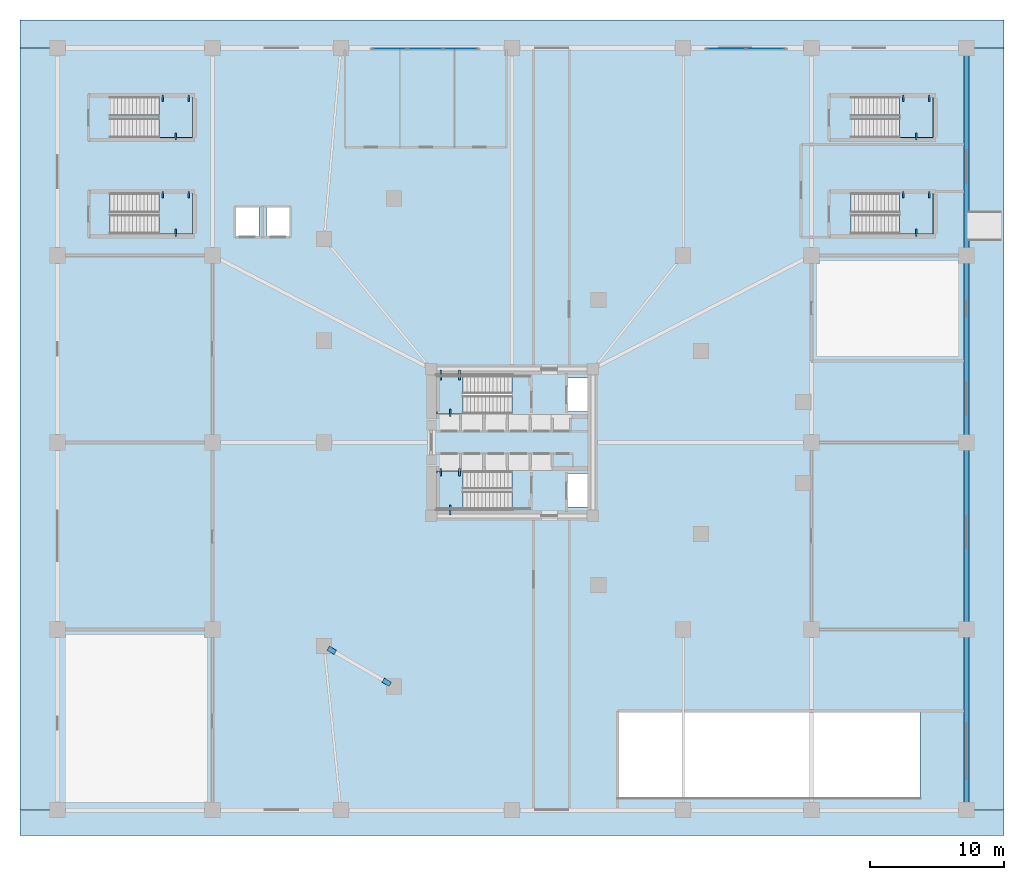
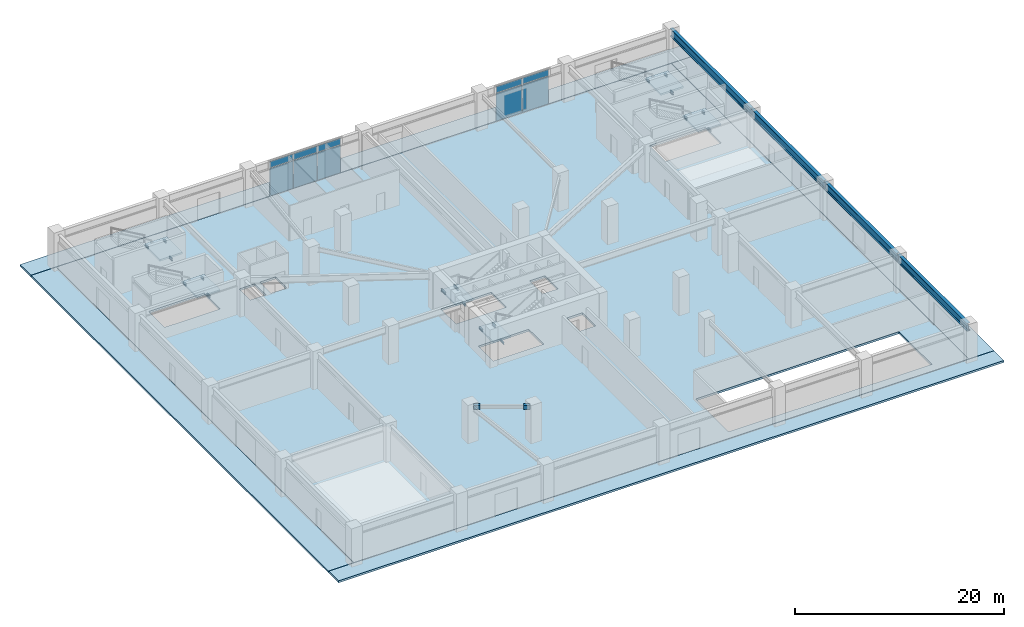
# One storey, part 3 of 18: 22 beams, 12 plates, 11 slabs, 8 elements without a shape of their own.
"""IFC4 building model written with IfcOpenShell, lengths in metres."""

from ifc_helpers import new_model, si_unit, direction, frame, origin, origin_2d, place, context, subcontext, project, spatial, polyline, rectangle, i_section, outline, extrude, source, transform, mapped, material, layer, layer_set, material_profile, profile_set, type_object, element, aggregate, save


model = new_model("IFC4")

# Units and contexts
model_context = context("Model", 3, precision=1e-05, world=origin(), true_north=direction((0.0, 1.0)))
body_context = subcontext(model_context, "Body", "Model", "MODEL_VIEW")
ifc_project = project(units=[si_unit("LENGTHUNIT", "METRE"), si_unit("AREAUNIT", "SQUARE_METRE"), si_unit("VOLUMEUNIT", "CUBIC_METRE"), si_unit("PLANEANGLEUNIT", "RADIAN"), si_unit("MASSUNIT", "GRAM", prefix="KILO")], contexts=[model_context])

# Site, building, storey
site_placement = place(None, origin())
site = spatial("IfcSite", under=ifc_project, at=site_placement, CompositionType="ELEMENT")
building_placement = place(site_placement, origin())
building = spatial("IfcBuilding", under=site, at=building_placement, Name="Yunling Apex Tower", CompositionType="ELEMENT")
storey_placement = place(building_placement, origin())
storey = spatial("IfcBuildingStorey", under=building, at=storey_placement, Name="L01", CompositionType="ELEMENT", Elevation=0.0)

# Beams
ifc_material_1 = material(Name="Steel Q355B", Category="steel")
ifc_material_profile_1 = material_profile(ifc_material_1, i_section(OverallWidth=0.125, OverallDepth=0.25, WebThickness=0.006103515625, FlangeThickness=0.009033203125, FilletRadius=0.011962890625, at=origin_2d()))
ifc_profile_set_1 = profile_set([ifc_material_profile_1], Name="Steel Q355B")
beam_type_1 = type_object("IfcBeamType", Name="BL-LNT-1", PredefinedType="LINTEL", material=ifc_profile_set_1)
shared_shape_1 = source(origin(), body_context, "Body", "SweptSolid", [
    extrude(i_section(OverallWidth=0.125, OverallDepth=0.25, WebThickness=0.006103515625, FlangeThickness=0.009033203125, FilletRadius=0.011962890625, at=origin_2d()), origin(), (0.0, 0.0, 1.0), 0.760009765625),
])
for number, where, z_axis, x_axis, name in (
    (1, (-5.320068359375, 5.419921875, 1.929931640625), (0.0, -1.0, 0.0), (1.0, 0.0, 0.0), "L01 ST-1 Landing Bearing Corbel 1-1"),
    (2, (-3.929931640625, 5.419921875, 1.929931640625), (0.0, -1.0, 0.0), (1.0, 0.0, 0.0), "L01 ST-1 Landing Bearing Corbel 1-2"),
    (3, (-4.625, -5.419921875, 1.929931640625), (0.0, 1.0, 0.0), (-1.0, 0.0, 0.0), "L01 ST-2 Landing Bearing Corbel 1-3"),
):
    element("IfcBeam", number, at=place(storey_placement, frame(where, z_axis=z_axis, x_axis=x_axis)), inside=storey, type_object=beam_type_1, Name=name, PredefinedType="LINTEL", context=body_context, shape_type="MappedRepresentation", body=[
        mapped(shared_shape_1, transform((0.0, 0.0, 0.0), scale=1.0)),
    ])
shared_shape_2 = source(origin(), body_context, "Body", "SweptSolid", [
    extrude(i_section(OverallWidth=0.125, OverallDepth=0.25, WebThickness=0.006103515625, FlangeThickness=0.009033203125, FilletRadius=0.011962890625, at=origin_2d()), origin(), (0.0, 0.0, 1.0), 0.550048828125),
])
for number, where, z_axis, x_axis, name in (
    (4, (-4.625, 1.93994140625, 1.929931640625), (0.0, 1.0, 0.0), (-1.0, 0.0, 0.0), "L01 ST-1 Landing Bearing Corbel 1-3"),
    (5, (-5.320068359375, -1.93994140625, 1.929931640625), (0.0, -1.0, 0.0), (1.0, 0.0, 0.0), "L01 ST-2 Landing Bearing Corbel 1-1"),
    (6, (-3.929931640625, -1.93994140625, 1.929931640625), (0.0, -1.0, 0.0), (1.0, 0.0, 0.0), "L01 ST-2 Landing Bearing Corbel 1-2"),
):
    element("IfcBeam", number, at=place(storey_placement, frame(where, z_axis=z_axis, x_axis=x_axis)), inside=storey, type_object=beam_type_1, Name=name, PredefinedType="LINTEL", context=body_context, shape_type="MappedRepresentation", body=[
        mapped(shared_shape_2, transform((0.0, 0.0, 0.0), scale=1.0)),
    ])
shared_shape_3 = source(origin(), body_context, "Body", "SweptSolid", [
    extrude(i_section(OverallWidth=0.125, OverallDepth=0.25, WebThickness=0.006103515625, FlangeThickness=0.009033203125, FilletRadius=0.011962890625, at=origin_2d()), origin(), (0.0, 0.0, 1.0), 0.47998046875),
])
for number, where, z_axis, x_axis, name in (
    (7, (-26.1298828125, 18.780029296875, 1.929931640625), (0.0, -1.0, 0.0), (1.0, 0.0, 0.0), "L01 ST-P1 Landing Bearing Corbel 1-1"),
    (8, (-24.179931640625, 18.780029296875, 1.929931640625), (0.0, -1.0, 0.0), (1.0, 0.0, 0.0), "L01 ST-P1 Landing Bearing Corbel 1-2"),
    (9, (29.27001953125, 18.780029296875, 1.929931640625), (0.0, -1.0, 0.0), (1.0, 0.0, 0.0), "L01 ST-P2 Landing Bearing Corbel 1-1"),
    (10, (31.219970703125, 18.780029296875, 1.929931640625), (0.0, -1.0, 0.0), (1.0, 0.0, 0.0), "L01 ST-P2 Landing Bearing Corbel 1-2"),
    (11, (-26.1298828125, 25.97998046875, 1.929931640625), (0.0, -1.0, 0.0), (1.0, 0.0, 0.0), "L01 ST-G1 Landing Bearing Corbel 1-1"),
    (12, (-24.179931640625, 25.97998046875, 1.929931640625), (0.0, -1.0, 0.0), (1.0, 0.0, 0.0), "L01 ST-G1 Landing Bearing Corbel 1-2"),
    (13, (29.27001953125, 25.97998046875, 1.929931640625), (0.0, -1.0, 0.0), (1.0, 0.0, 0.0), "L01 ST-G2 Landing Bearing Corbel 1-1"),
    (14, (31.219970703125, 25.97998046875, 1.929931640625), (0.0, -1.0, 0.0), (1.0, 0.0, 0.0), "L01 ST-G2 Landing Bearing Corbel 1-2"),
):
    element("IfcBeam", number, at=place(storey_placement, frame(where, z_axis=z_axis, x_axis=x_axis)), inside=storey, type_object=beam_type_1, Name=name, PredefinedType="LINTEL", context=body_context, shape_type="MappedRepresentation", body=[
        mapped(shared_shape_3, transform((0.0, 0.0, 0.0), scale=1.0)),
    ])
shared_shape_4 = source(origin(), body_context, "Body", "SweptSolid", [
    extrude(i_section(OverallWidth=0.125, OverallDepth=0.25, WebThickness=0.006103515625, FlangeThickness=0.009033203125, FilletRadius=0.011962890625, at=origin_2d()), origin(), (0.0, 0.0, 1.0), 0.530029296875),
])
for number, where, z_axis, x_axis, name in (
    (15, (-25.155029296875, 15.419921875, 1.929931640625), (0.0, 1.0, 0.0), (-1.0, 0.0, 0.0), "L01 ST-P1 Landing Bearing Corbel 1-3"),
    (16, (30.2451171875, 15.419921875, 1.929931640625), (0.0, 1.0, 0.0), (-1.0, 0.0, 0.0), "L01 ST-P2 Landing Bearing Corbel 1-3"),
):
    element("IfcBeam", number, at=place(storey_placement, frame(where, z_axis=z_axis, x_axis=x_axis)), inside=storey, type_object=beam_type_1, Name=name, PredefinedType="LINTEL", context=body_context, shape_type="MappedRepresentation", body=[
        mapped(shared_shape_4, transform((0.0, 0.0, 0.0), scale=1.0)),
    ])
shared_shape_5 = source(origin(), body_context, "Body", "SweptSolid", [
    extrude(i_section(OverallWidth=0.125, OverallDepth=0.25, WebThickness=0.006103515625, FlangeThickness=0.009033203125, FilletRadius=0.011962890625, at=origin_2d()), origin(), (0.0, 0.0, 1.0), 0.52978515625),
])
for number, where, z_axis, x_axis, name in (
    (17, (-25.155029296875, 22.6201171875, 1.929931640625), (0.0, 1.0, 0.0), (-1.0, 0.0, 0.0), "L01 ST-G1 Landing Bearing Corbel 1-3"),
    (18, (30.2451171875, 22.6201171875, 1.929931640625), (0.0, 1.0, 0.0), (-1.0, 0.0, 0.0), "L01 ST-G2 Landing Bearing Corbel 1-3"),
):
    element("IfcBeam", number, at=place(storey_placement, frame(where, z_axis=z_axis, x_axis=x_axis)), inside=storey, type_object=beam_type_1, Name=name, PredefinedType="LINTEL", context=body_context, shape_type="MappedRepresentation", body=[
        mapped(shared_shape_5, transform((0.0, 0.0, 0.0), scale=1.0)),
    ])
ifc_material_profile_2 = material_profile(ifc_material_1, i_section(OverallWidth=0.35009765625, OverallDepth=0.89990234375, WebThickness=0.01806640625, FlangeThickness=0.028076171875, FilletRadius=0.02392578125, at=origin_2d()))
ifc_profile_set_2 = profile_set([ifc_material_profile_2], Name="Steel Q355B")
beam_type_2 = type_object("IfcBeamType", Name="BG-PRI-1", PredefinedType="USERDEFINED", material=ifc_profile_set_2)
shared_shape_6 = source(origin(), body_context, "Body", "SweptSolid", [
    extrude(i_section(OverallWidth=0.35009765625, OverallDepth=0.89990234375, WebThickness=0.01806640625, FlangeThickness=0.028076171875, FilletRadius=0.02392578125, at=origin_2d()), origin(), (0.0, 0.0, 1.0), 13.419921875),
])
beam_1_placement = place(storey_placement, frame((34.0, -27.4599609375, 3.739990234375), z_axis=(0.0, 1.0, 0.0), x_axis=(-1.0, 0.0, 0.0)))
element("IfcBeam", 19, at=beam_1_placement, inside=storey, type_object=beam_type_2, Name="L01 Podium Side Girder 17", ObjectType="GIRDER", PredefinedType="USERDEFINED", context=body_context, shape_type="MappedRepresentation", body=[
    mapped(shared_shape_6, transform((0.0, 0.0, 0.0), scale=1.0)),
])
shared_shape_7 = source(origin(), body_context, "Body", "SweptSolid", [
    extrude(i_section(OverallWidth=0.35009765625, OverallDepth=0.89990234375, WebThickness=0.01806640625, FlangeThickness=0.028076171875, FilletRadius=0.02392578125, at=origin_2d()), origin(), (0.0, 0.0, 1.0), 13.919921875),
])
for number, where, z_axis, x_axis, name in (
    (20, (34.0, -13.9599609375, 3.739990234375), (0.0, 1.0, 0.0), (-1.0, 0.0, 0.0), "L01 Podium Side Girder 18"),
    (21, (34.0, 0.0400390625, 3.739990234375), (0.0, 1.0, 0.0), (-1.0, 0.0, 0.0), "L01 Podium Side Girder 19"),
):
    element("IfcBeam", number, at=place(storey_placement, frame(where, z_axis=z_axis, x_axis=x_axis)), inside=storey, type_object=beam_type_2, Name=name, ObjectType="GIRDER", PredefinedType="USERDEFINED", context=body_context, shape_type="MappedRepresentation", body=[
        mapped(shared_shape_7, transform((0.0, 0.0, 0.0), scale=1.0)),
    ])
shared_shape_8 = source(origin(), body_context, "Body", "SweptSolid", [
    extrude(i_section(OverallWidth=0.35009765625, OverallDepth=0.89990234375, WebThickness=0.01806640625, FlangeThickness=0.028076171875, FilletRadius=0.02392578125, at=origin_2d()), origin(), (0.0, 0.0, 1.0), 15.419921875),
])
beam_2_placement = place(storey_placement, frame((34.0, 14.0400390625, 3.739990234375), z_axis=(0.0, 1.0, 0.0), x_axis=(-1.0, 0.0, 0.0)))
element("IfcBeam", 22, at=beam_2_placement, inside=storey, type_object=beam_type_2, Name="L01 Podium Side Girder 20", ObjectType="GIRDER", PredefinedType="USERDEFINED", context=body_context, shape_type="MappedRepresentation", body=[
    mapped(shared_shape_8, transform((0.0, 0.0, 0.0), scale=1.0)),
])

# Stair, slab
ifc_material_2 = material(Name="Concrete C40", Category="concrete")
stair_type_1 = type_object("IfcStairType", Name="ST-TWR-1", PredefinedType="HALF_TURN_STAIR", material=ifc_material_2)
stair_1_placement = place(storey_placement, origin())
stair_1 = element("IfcStair", 23, at=stair_1_placement, inside=storey, type_object=stair_type_1, Name="L01 North Core Smokeproof Exit Stair ST-1", PredefinedType="HALF_TURN_STAIR")
ifc_layer_1 = layer(ifc_material_2, 0.195068359375)
ifc_layer_set_1 = layer_set([ifc_layer_1], Name="Concrete C40")
slab_type_1 = type_object("IfcSlabType", Name="SL-LND-1", PredefinedType="LANDING", material=ifc_layer_set_1)
slab_1_placement = place(storey_placement, frame((0.0, 0.0, 2.054931640625)))
slab_1 = element("IfcSlab", 24, at=slab_1_placement, type_object=slab_type_1, Name="ST-1 landing 1", PredefinedType="LANDING", context=body_context, shape_type="SweptSolid", body=[
    extrude(outline(polyline([(-3.64990234375, 5.010009765625), (-5.60009765625, 5.010009765625), (-5.60009765625, 2.139892578125), (-3.64990234375, 2.139892578125), (-3.64990234375, 5.010009765625)])), origin(), (0.0, 0.0, 1.0), 0.195068359375),
])
aggregate(stair_1, [slab_1])

stair_2_placement = place(storey_placement, origin())
stair_2 = element("IfcStair", 25, at=stair_2_placement, inside=storey, type_object=stair_type_1, Name="L01 South Core Smokeproof Exit Stair ST-2", PredefinedType="HALF_TURN_STAIR")
slab_2_placement = place(storey_placement, frame((0.0, 0.0, 2.054931640625)))
slab_2 = element("IfcSlab", 26, at=slab_2_placement, type_object=slab_type_1, Name="ST-2 landing 1", PredefinedType="LANDING", context=body_context, shape_type="SweptSolid", body=[
    extrude(outline(polyline([(-3.64990234375, -2.139892578125), (-5.60009765625, -2.139892578125), (-5.60009765625, -5.010009765625), (-3.64990234375, -5.010009765625), (-3.64990234375, -2.139892578125)])), origin(), (0.0, 0.0, 1.0), 0.195068359375),
])
aggregate(stair_2, [slab_2])

stair_type_2 = type_object("IfcStairType", Name="ST-POD-1", PredefinedType="HALF_TURN_STAIR", material=ifc_material_2)
stair_3_placement = place(storey_placement, origin())
stair_3 = element("IfcStair", 27, at=stair_3_placement, inside=storey, type_object=stair_type_2, Name="L01 West Podium Smokeproof Stair ST-P1", PredefinedType="HALF_TURN_STAIR")
slab_3_placement = place(storey_placement, frame((0.0, 0.0, 2.054931640625)))
slab_3 = element("IfcSlab", 28, at=slab_3_placement, type_object=slab_type_1, Name="ST-P1 landing 1", PredefinedType="LANDING", context=body_context, shape_type="SweptSolid", body=[
    extrude(outline(polyline([(-26.409912109375, 15.60009765625), (-23.89990234375, 15.60009765625), (-23.89990234375, 18.64990234375), (-26.409912109375, 18.64990234375), (-26.409912109375, 15.60009765625)])), origin(), (0.0, 0.0, 1.0), 0.195068359375),
])
aggregate(stair_3, [slab_3])

stair_4_placement = place(storey_placement, origin())
stair_4 = element("IfcStair", 29, at=stair_4_placement, inside=storey, type_object=stair_type_2, Name="L01 East Podium Smokeproof Stair ST-P2", PredefinedType="HALF_TURN_STAIR")
slab_4_placement = place(storey_placement, frame((0.0, 0.0, 2.054931640625)))
slab_4 = element("IfcSlab", 30, at=slab_4_placement, type_object=slab_type_1, Name="ST-P2 landing 1", PredefinedType="LANDING", context=body_context, shape_type="SweptSolid", body=[
    extrude(outline(polyline([(28.989990234375, 15.60009765625), (31.5, 15.60009765625), (31.5, 18.64990234375), (28.989990234375, 18.64990234375), (28.989990234375, 15.60009765625)])), origin(), (0.0, 0.0, 1.0), 0.195068359375),
])
aggregate(stair_4, [slab_4])

stair_type_3 = type_object("IfcStairType", Name="ST-GDN-1", PredefinedType="STRAIGHT_RUN_STAIR", material=ifc_material_2)
stair_5_placement = place(storey_placement, origin())
stair_5 = element("IfcStair", 31, at=stair_5_placement, inside=storey, type_object=stair_type_3, Name="L01 West Plaza-to-Garden External Stair ST-G1", PredefinedType="HALF_TURN_STAIR")
slab_5_placement = place(storey_placement, frame((0.0, 0.0, 2.054931640625)))
slab_5 = element("IfcSlab", 32, at=slab_5_placement, type_object=slab_type_1, Name="ST-G1 landing 1", PredefinedType="LANDING", context=body_context, shape_type="SweptSolid", body=[
    extrude(outline(polyline([(-26.409912109375, 22.800048828125), (-23.89990234375, 22.800048828125), (-23.89990234375, 25.85009765625), (-26.409912109375, 25.85009765625), (-26.409912109375, 22.800048828125)])), origin(), (0.0, 0.0, 1.0), 0.195068359375),
])
aggregate(stair_5, [slab_5])

stair_6_placement = place(storey_placement, origin())
stair_6 = element("IfcStair", 33, at=stair_6_placement, inside=storey, type_object=stair_type_3, Name="L01 East Plaza-to-Garden External Stair ST-G2", PredefinedType="HALF_TURN_STAIR")
slab_6_placement = place(storey_placement, frame((0.0, 0.0, 2.054931640625)))
slab_6 = element("IfcSlab", 34, at=slab_6_placement, type_object=slab_type_1, Name="ST-G2 landing 1", PredefinedType="LANDING", context=body_context, shape_type="SweptSolid", body=[
    extrude(outline(polyline([(28.989990234375, 22.800048828125), (31.5, 22.800048828125), (31.5, 25.85009765625), (28.989990234375, 25.85009765625), (28.989990234375, 22.800048828125)])), origin(), (0.0, 0.0, 1.0), 0.195068359375),
])
aggregate(stair_6, [slab_6])

# Slabs
ifc_layer_2 = layer(ifc_material_2, 0.22998046875)
ifc_layer_set_2 = layer_set([ifc_layer_2], Name="Concrete C40")
slab_type_2 = type_object("IfcSlabType", Name="SL-PLZ-EXT", PredefinedType="BASESLAB", material=ifc_layer_set_2)
slab_7_placement = place(storey_placement, frame((0.0, 0.0, -0.22998046875)))
element("IfcSlab", 35, at=slab_7_placement, inside=storey, type_object=slab_type_2, Name="Street Plaza Ground Base Slab S", PredefinedType="BASESLAB", context=body_context, shape_type="SweptSolid", body=[
    extrude(outline(polyline([(-36.800048828125, -29.39990234375), (36.800048828125, -29.39990234375), (36.800048828125, -27.52001953125), (-36.800048828125, -27.52001953125), (-36.800048828125, -29.39990234375)])), origin(), (0.0, 0.0, 1.0), 0.22998046875),
])
slab_8_placement = place(storey_placement, frame((0.0, 0.0, -0.22998046875)))
element("IfcSlab", 36, at=slab_8_placement, inside=storey, type_object=slab_type_2, Name="Street Plaza Ground Base Slab N", PredefinedType="BASESLAB", context=body_context, shape_type="SweptSolid", body=[
    extrude(outline(polyline([(-36.800048828125, 29.52001953125), (36.800048828125, 29.52001953125), (36.800048828125, 31.60009765625), (-36.800048828125, 31.60009765625), (-36.800048828125, 29.52001953125)])), origin(), (0.0, 0.0, 1.0), 0.22998046875),
])
slab_9_placement = place(storey_placement, frame((0.0, 0.0, -0.22998046875)))
element("IfcSlab", 37, at=slab_9_placement, inside=storey, type_object=slab_type_2, Name="Street Plaza Ground Base Slab W", PredefinedType="BASESLAB", context=body_context, shape_type="SweptSolid", body=[
    extrude(outline(polyline([(-36.800048828125, -27.5), (-34.02001953125, -27.5), (-34.02001953125, 29.5), (-36.800048828125, 29.5), (-36.800048828125, -27.5)])), origin(), (0.0, 0.0, 1.0), 0.22998046875),
])
slab_10_placement = place(storey_placement, frame((0.0, 0.0, -0.22998046875)))
element("IfcSlab", 38, at=slab_10_placement, inside=storey, type_object=slab_type_2, Name="Street Plaza Ground Base Slab E", PredefinedType="BASESLAB", context=body_context, shape_type="SweptSolid", body=[
    extrude(outline(polyline([(34.02001953125, -27.5), (36.800048828125, -27.5), (36.800048828125, 29.5), (34.02001953125, 29.5), (34.02001953125, -27.5)])), origin(), (0.0, 0.0, 1.0), 0.22998046875),
])
ifc_layer_3 = layer(ifc_material_2, 0.239990234375)
ifc_layer_set_3 = layer_set([ifc_layer_3], Name="Concrete C40")
slab_type_3 = type_object("IfcSlabType", Name="SL-POD-1", PredefinedType="FLOOR", material=ifc_layer_set_3)
slab_11_placement = place(storey_placement, frame((0.0, 0.0, -0.239990234375)))
element("IfcSlab", 39, at=slab_11_placement, inside=storey, type_object=slab_type_3, Name="L01 Structural Floor Slab", PredefinedType="FLOOR", context=body_context, shape_type="SweptSolid", body=[
    extrude(outline(polyline([(-34.0, -27.5), (34.0, -27.5), (34.0, 29.5), (-34.0, 29.5), (-34.0, -27.5)]), holes=[polyline([(31.5, 18.64990234375), (31.5, 15.60009765625), (25.35009765625, 15.60009765625), (25.35009765625, 18.64990234375), (31.5, 18.64990234375)]), polyline([(8.0, -20.199951171875), (30.5, -20.199951171875), (30.5, -26.5), (8.0, -26.5), (8.0, -20.199951171875)]), polyline([(4.090087890625, -2.320068359375), (5.81005859375, -2.320068359375), (5.81005859375, -4.840087890625), (4.090087890625, -4.840087890625), (4.090087890625, -2.320068359375)]), polyline([(4.090087890625, 4.840087890625), (5.81005859375, 4.840087890625), (5.81005859375, 2.320068359375), (4.090087890625, 2.320068359375), (4.090087890625, 4.840087890625)]), polyline([(-0.010009765625, -5.010009765625), (-5.60009765625, -5.010009765625), (-5.60009765625, -2.139892578125), (-0.010009765625, -2.139892578125), (-0.010009765625, -5.010009765625)]), polyline([(-0.010009765625, 2.139892578125), (-5.60009765625, 2.139892578125), (-5.60009765625, 5.010009765625), (-0.010009765625, 5.010009765625), (-0.010009765625, 2.139892578125)]), polyline([(-18.360107421875, 17.56005859375), (-16.639892578125, 17.56005859375), (-16.639892578125, 15.43994140625), (-18.360107421875, 15.43994140625), (-18.360107421875, 17.56005859375)]), polyline([(-20.659912109375, 17.56005859375), (-18.93994140625, 17.56005859375), (-18.93994140625, 15.43994140625), (-20.659912109375, 15.43994140625), (-20.659912109375, 17.56005859375)]), polyline([(-23.89990234375, 18.64990234375), (-23.89990234375, 15.60009765625), (-30.050048828125, 15.60009765625), (-30.050048828125, 18.64990234375), (-23.89990234375, 18.64990234375)])]), origin(), (0.0, 0.0, 1.0), 0.239990234375),
])

# Plates
ifc_layer_4 = layer(ifc_material_1, 0.031982421875)
ifc_layer_set_4 = layer_set([ifc_layer_4], Name="Steel Q355B")
plate_type_1 = type_object("IfcPlateType", Name="NP-GUS-2", PredefinedType="USERDEFINED", material=ifc_layer_set_4)
shared_shape_9 = source(origin(), body_context, "Body", "SweptSolid", [
    extrude(rectangle(XDim=0.6201171875, YDim=0.360107421875, at=origin_2d()), origin(), (0.0, 0.0, 1.0), 0.47998046875),
])
for number, where, z_axis, x_axis, name in (
    (40, (-13.48779296875, -15.546142578125, 3.60009765625), (0.0, 0.0, 1.0), (0.864976307593, -0.501812701416, 0.0), "L01 Atrium Tie Strut End Gusset Plate 442"),
    (41, (-9.372314453125, -17.933837890625, 3.60009765625), (0.0, 0.0, 1.0), (0.864976307593, -0.501812701416, 0.0), "L01 Atrium Tie Strut End Gusset Plate 443"),
):
    element("IfcPlate", number, at=place(storey_placement, frame(where, z_axis=z_axis, x_axis=x_axis)), inside=storey, type_object=plate_type_1, Name=name, ObjectType="GUSSET_PLATE", PredefinedType="USERDEFINED", context=body_context, shape_type="MappedRepresentation", body=[
        mapped(shared_shape_9, transform((0.0, 0.0, 0.0), scale=1.0)),
    ])

# Curtain wall, plates
ifc_material_3 = material(Name="Bronze anodised aluminium", Category="aluminium")
ifc_layer_5 = layer(ifc_material_3, 0.280029296875)
ifc_layer_set_5 = layer_set([ifc_layer_5], Name="Bronze anodised aluminium")
curtain_wall_type = type_object("IfcCurtainWallType", Name="CW-SYS-1", PredefinedType="NOTDEFINED", material=ifc_layer_set_5)
curtain_wall_1_placement = place(storey_placement, origin())
curtain_wall_1 = element("IfcCurtainWall", 42, at=curtain_wall_1_placement, inside=storey, type_object=curtain_wall_type, Name="CW-POD-L01-1", PredefinedType="NOTDEFINED")
ifc_material_4 = material(Name="Bronze tinted low-E glass", Category="glass")
ifc_layer_6 = layer(ifc_material_4, 0.035888671875)
ifc_layer_set_6 = layer_set([ifc_layer_6], Name="Bronze tinted low-E glass")
plate_type_2 = type_object("IfcPlateType", Name="CW-PNL-1", PredefinedType="CURTAIN_PANEL", material=ifc_layer_set_6)
shared_shape_10 = source(origin(), body_context, "Body", "SweptSolid", [
    extrude(rectangle(XDim=2.548583984375, YDim=0.035888671875, at=origin_2d()), origin(), (0.0, 0.0, 1.0), 3.221923828125),
])
plate_1_placement = place(storey_placement, frame((-9.144287109375, 29.449951171875, 0.08154296875), z_axis=(0.0, 0.0, 1.0), x_axis=(1.0, 0.0, 0.0)))
plate_1 = element("IfcPlate", 43, at=plate_1_placement, type_object=plate_type_2, Name="CW-SYS-1 panel 1.1", PredefinedType="CURTAIN_PANEL", context=body_context, shape_type="MappedRepresentation", body=[
    mapped(shared_shape_10, transform((0.0, 0.0, 0.0), scale=1.0)),
])
plate_2_placement = place(storey_placement, frame((-3.855712890625, 29.449951171875, 0.08154296875), z_axis=(0.0, 0.0, 1.0), x_axis=(1.0, 0.0, 0.0)))
plate_2 = element("IfcPlate", 44, at=plate_2_placement, type_object=plate_type_2, Name="CW-SYS-1 panel 3.1", PredefinedType="CURTAIN_PANEL", context=body_context, shape_type="MappedRepresentation", body=[
    mapped(shared_shape_10, transform((0.0, 0.0, 0.0), scale=1.0)),
])
shared_shape_11 = source(origin(), body_context, "Body", "SweptSolid", [
    extrude(rectangle(XDim=2.548583984375, YDim=0.035888671875, at=origin_2d()), origin(), (0.0, 0.0, 1.0), 0.73193359375),
])
plate_3_placement = place(storey_placement, frame((-9.144287109375, 29.449951171875, 3.37646484375), z_axis=(0.0, 0.0, 1.0), x_axis=(1.0, 0.0, 0.0)))
plate_3 = element("IfcPlate", 45, at=plate_3_placement, type_object=plate_type_2, Name="CW-SYS-1 panel 1.2", PredefinedType="CURTAIN_PANEL", context=body_context, shape_type="MappedRepresentation", body=[
    mapped(shared_shape_11, transform((0.0, 0.0, 0.0), scale=1.0)),
])
plate_4_placement = place(storey_placement, frame((-3.855712890625, 29.449951171875, 3.37646484375), z_axis=(0.0, 0.0, 1.0), x_axis=(1.0, 0.0, 0.0)))
plate_4 = element("IfcPlate", 46, at=plate_4_placement, type_object=plate_type_2, Name="CW-SYS-1 panel 3.2", PredefinedType="CURTAIN_PANEL", context=body_context, shape_type="MappedRepresentation", body=[
    mapped(shared_shape_11, transform((0.0, 0.0, 0.0), scale=1.0)),
])
shared_shape_12 = source(origin(), body_context, "Body", "SweptSolid", [
    extrude(rectangle(XDim=2.59375, YDim=0.035888671875, at=origin_2d()), origin(), (0.0, 0.0, 1.0), 3.221923828125),
])
plate_5_placement = place(storey_placement, frame((-6.5, 29.449951171875, 0.08154296875), z_axis=(0.0, 0.0, 1.0), x_axis=(1.0, 0.0, 0.0)))
plate_5 = element("IfcPlate", 47, at=plate_5_placement, type_object=plate_type_2, Name="CW-SYS-1 panel 2.1", PredefinedType="CURTAIN_PANEL", context=body_context, shape_type="MappedRepresentation", body=[
    mapped(shared_shape_12, transform((0.0, 0.0, 0.0), scale=1.0)),
])
shared_shape_13 = source(origin(), body_context, "Body", "SweptSolid", [
    extrude(rectangle(XDim=2.59375, YDim=0.035888671875, at=origin_2d()), origin(), (0.0, 0.0, 1.0), 0.73193359375),
])
plate_6_placement = place(storey_placement, frame((-6.5, 29.449951171875, 3.37646484375), z_axis=(0.0, 0.0, 1.0), x_axis=(1.0, 0.0, 0.0)))
plate_6 = element("IfcPlate", 48, at=plate_6_placement, type_object=plate_type_2, Name="CW-SYS-1 panel 2.2", PredefinedType="CURTAIN_PANEL", context=body_context, shape_type="MappedRepresentation", body=[
    mapped(shared_shape_13, transform((0.0, 0.0, 0.0), scale=1.0)),
])
aggregate(curtain_wall_1, [plate_1, plate_3, plate_5, plate_6, plate_2, plate_4])

curtain_wall_2_placement = place(storey_placement, origin())
curtain_wall_2 = element("IfcCurtainWall", 49, at=curtain_wall_2_placement, inside=storey, type_object=curtain_wall_type, Name="CW-POD-L01-2", PredefinedType="NOTDEFINED")
shared_shape_14 = source(origin(), body_context, "Body", "SweptSolid", [
    extrude(rectangle(XDim=2.882080078125, YDim=0.035888671875, at=origin_2d()), origin(), (0.0, 0.0, 1.0), 3.221923828125),
])
plate_7_placement = place(storey_placement, frame((16.0224609375, 29.449951171875, 0.08154296875), z_axis=(0.0, 0.0, 1.0), x_axis=(1.0, 0.0, 0.0)))
plate_7 = element("IfcPlate", 50, at=plate_7_placement, type_object=plate_type_2, Name="CW-SYS-1 panel 1.1", PredefinedType="CURTAIN_PANEL", context=body_context, shape_type="MappedRepresentation", body=[
    mapped(shared_shape_14, transform((0.0, 0.0, 0.0), scale=1.0)),
])
plate_8_placement = place(storey_placement, frame((18.9775390625, 29.449951171875, 0.08154296875), z_axis=(0.0, 0.0, 1.0), x_axis=(1.0, 0.0, 0.0)))
plate_8 = element("IfcPlate", 51, at=plate_8_placement, type_object=plate_type_2, Name="CW-SYS-1 panel 2.1", PredefinedType="CURTAIN_PANEL", context=body_context, shape_type="MappedRepresentation", body=[
    mapped(shared_shape_14, transform((0.0, 0.0, 0.0), scale=1.0)),
])
shared_shape_15 = source(origin(), body_context, "Body", "SweptSolid", [
    extrude(rectangle(XDim=2.882080078125, YDim=0.035888671875, at=origin_2d()), origin(), (0.0, 0.0, 1.0), 0.73193359375),
])
plate_9_placement = place(storey_placement, frame((16.0224609375, 29.449951171875, 3.37646484375), z_axis=(0.0, 0.0, 1.0), x_axis=(1.0, 0.0, 0.0)))
plate_9 = element("IfcPlate", 52, at=plate_9_placement, type_object=plate_type_2, Name="CW-SYS-1 panel 1.2", PredefinedType="CURTAIN_PANEL", context=body_context, shape_type="MappedRepresentation", body=[
    mapped(shared_shape_15, transform((0.0, 0.0, 0.0), scale=1.0)),
])
plate_10_placement = place(storey_placement, frame((18.9775390625, 29.449951171875, 3.37646484375), z_axis=(0.0, 0.0, 1.0), x_axis=(1.0, 0.0, 0.0)))
plate_10 = element("IfcPlate", 53, at=plate_10_placement, type_object=plate_type_2, Name="CW-SYS-1 panel 2.2", PredefinedType="CURTAIN_PANEL", context=body_context, shape_type="MappedRepresentation", body=[
    mapped(shared_shape_15, transform((0.0, 0.0, 0.0), scale=1.0)),
])
aggregate(curtain_wall_2, [plate_7, plate_9, plate_8, plate_10])

save(model, "model.ifc")
